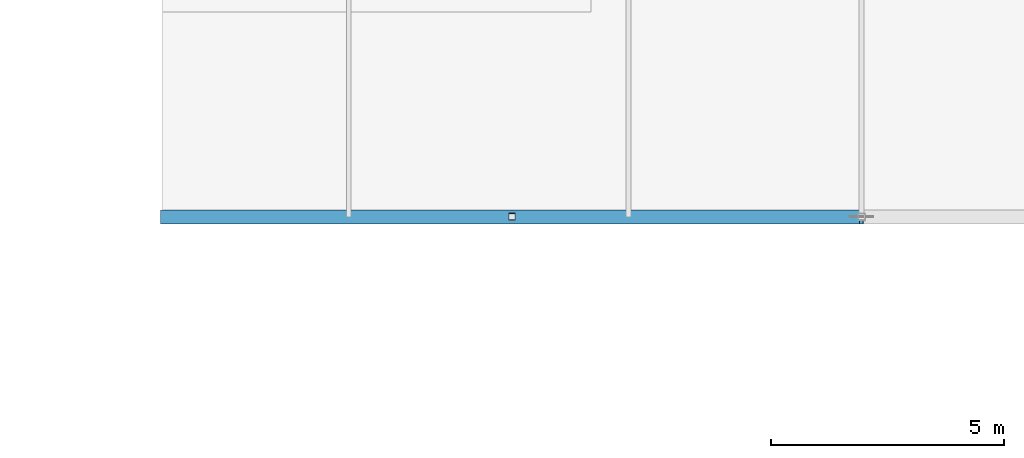
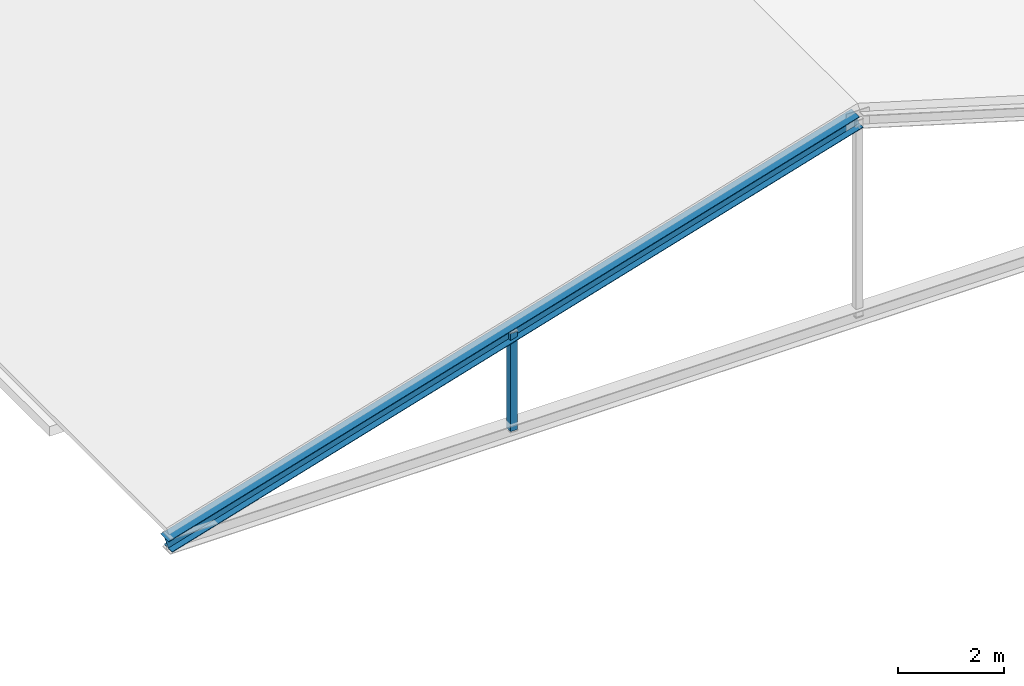
# One storey, part 1 of 204: 2 members.
"""IFC4 building model written with IfcOpenShell, lengths in metres."""

from ifc_helpers import new_model, si_unit, direction, frame, origin, origin_2d, place, context, subcontext, project, spatial, hollow_rectangle, i_section, extrude, material, material_profile, profile_set, type_object, element, save


model = new_model("IFC4")

# Units and contexts
model_context = context("Model", 3, precision=1e-05, world=origin(), true_north=direction((0.0, 1.0)))
body_context = subcontext(model_context, "Body", "Model", "MODEL_VIEW")
ifc_project = project(units=[si_unit("LENGTHUNIT", "METRE"), si_unit("AREAUNIT", "SQUARE_METRE"), si_unit("VOLUMEUNIT", "CUBIC_METRE"), si_unit("PLANEANGLEUNIT", "RADIAN"), si_unit("MASSUNIT", "GRAM", prefix="KILO")], contexts=[model_context])

# Site, building, storey
site_placement = place(None, origin())
site = spatial("IfcSite", under=ifc_project, at=site_placement, CompositionType="ELEMENT")
building_placement = place(site_placement, origin())
building = spatial("IfcBuilding", under=site, at=building_placement, Name="Zilviju Railside Exhibition Hall", CompositionType="ELEMENT")
storey_placement = place(building_placement, frame((0.0, 0.0, 21.0)))
storey = spatial("IfcBuildingStorey", under=building, at=storey_placement, Name="RF", CompositionType="ELEMENT", Elevation=21.0)

# Members
ifc_material = material(Name="Steel S355J2", Category="steel")
ifc_material_profile_1 = material_profile(ifc_material, hollow_rectangle(XDim=0.14990234375, YDim=0.14990234375, WallThickness=0.008056640625, at=origin_2d()), Name="SHS 150x150x8.0")
ifc_profile_set_1 = profile_set([ifc_material_profile_1], Name="Steel S355J2")
member_type_1 = type_object("IfcMemberType", Name="TR-POST-SHS150", PredefinedType="POST", material=ifc_profile_set_1)
member_1_placement = place(storey_placement, frame((55.5, 18.0, -8.39990234375), z_axis=(0.0, 0.0, 1.0), x_axis=(1.0, 0.0, 0.0)))
element("IfcMember", 1, at=member_1_placement, inside=storey, type_object=member_type_1, Name="Concourse Saddle Queen Post Y=18.0", PredefinedType="POST", context=body_context, shape_type="SweptSolid", body=[
    extrude(hollow_rectangle(XDim=0.14990234375, YDim=0.14990234375, WallThickness=0.008056640625, at=origin_2d()), origin(), (0.0, 0.0, 1.0), 2.25),
])
ifc_material_profile_2 = material_profile(ifc_material, i_section(OverallWidth=0.300048828125, OverallDepth=0.2900390625, WebThickness=0.008544921875, FlangeThickness=0.013916015625, at=origin_2d()), Name="HEA 300")
ifc_profile_set_2 = profile_set([ifc_material_profile_2], Name="Steel S355J2")
member_type_2 = type_object("IfcMemberType", Name="TR-RAF-HEA300", PredefinedType="RAFTER", material=ifc_profile_set_2)
member_2_placement = place(storey_placement, frame((48.0, 18.0, -8.39990234375), z_axis=(0.957826285221, 0.0, 0.287347885566), x_axis=(0.0, 1.0, 0.0)))
element("IfcMember", 2, at=member_2_placement, inside=storey, type_object=member_type_2, Name="Concourse Saddle West Rafter Y=18.0", PredefinedType="RAFTER", context=body_context, shape_type="SweptSolid", body=[
    extrude(i_section(OverallWidth=0.300048828125, OverallDepth=0.2900390625, WebThickness=0.008544921875, FlangeThickness=0.013916015625, at=origin_2d()), origin(), (0.0, 0.0, 1.0), 15.660400390625),
])

save(model, "model.ifc")
